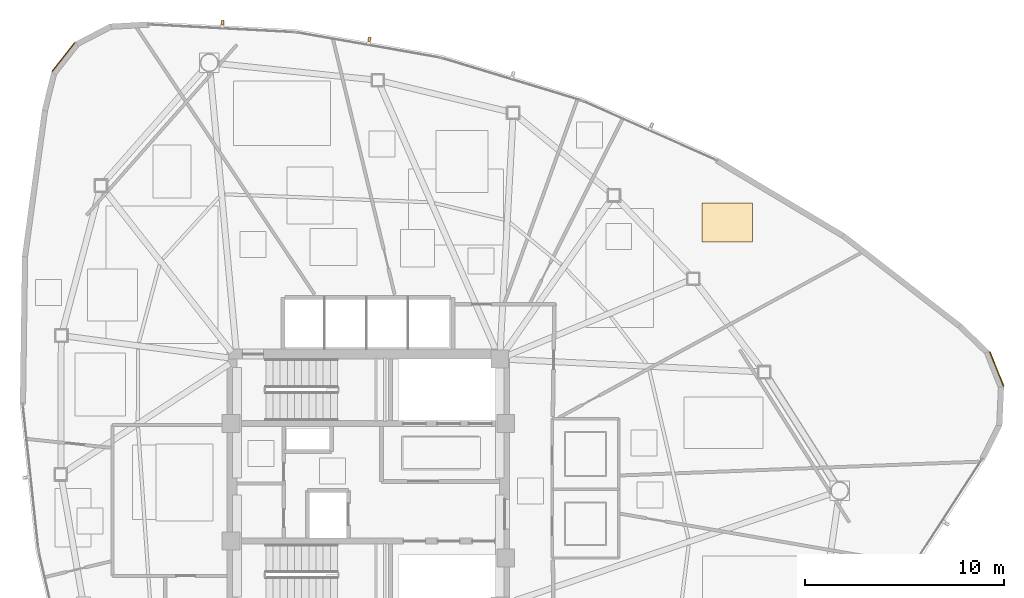
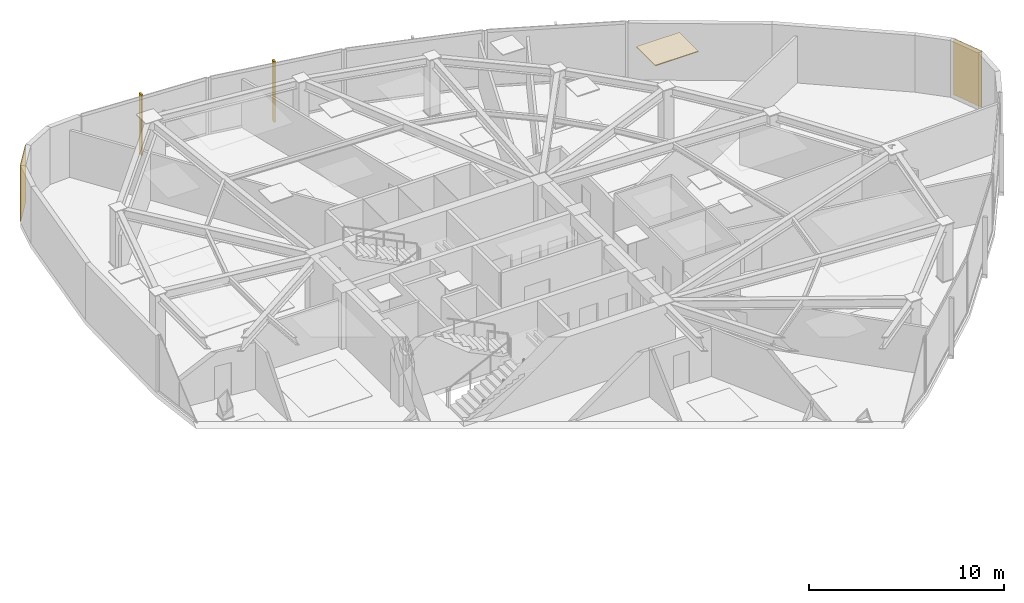
# One storey, part 17 of 17: 3 coverings, 2 shading devices.
"""IFC4 building model written with IfcOpenShell, lengths in metres."""

from ifc_helpers import new_model, si_unit, direction, frame, origin, origin_2d, place, context, subcontext, project, spatial, polyline, rectangle, outline, extrude, source, transform, mapped, material, layer, layer_set, type_object, type_shapes, element, save


model = new_model("IFC4")

# Units and contexts
model_context = context("Model", 3, precision=1e-05, world=origin(), true_north=direction((0.0, 1.0)))
body_context = subcontext(model_context, "Body", "Model", "MODEL_VIEW")
ifc_project = project(units=[si_unit("LENGTHUNIT", "METRE"), si_unit("AREAUNIT", "SQUARE_METRE"), si_unit("VOLUMEUNIT", "CUBIC_METRE"), si_unit("PLANEANGLEUNIT", "RADIAN"), si_unit("MASSUNIT", "GRAM", prefix="KILO")], contexts=[model_context])

# Site, building, storey
site_placement = place(None, origin())
site = spatial("IfcSite", under=ifc_project, at=site_placement, CompositionType="ELEMENT")
building_placement = place(site_placement, origin())
building = spatial("IfcBuilding", under=site, at=building_placement, Name="Tavelor Broadcast Tower", CompositionType="ELEMENT")
storey_placement = place(building_placement, frame((0.0, 0.0, 200.300048828125)))
storey = spatial("IfcBuildingStorey", under=building, at=storey_placement, Name="L48", CompositionType="ELEMENT", Elevation=200.300048828125)

# Coverings
ifc_material_1 = material(Name="Copper-Bronze Anodized Aluminium", Category="aluminium")
ifc_layer_1 = layer(ifc_material_1, 0.050048828125)
ifc_layer_set_1 = layer_set([ifc_layer_1], Name="Copper-Bronze Anodized Aluminium")
covering_type_1 = type_object("IfcCoveringType", Name="Champagne-Bronze Corner Pier Metal Cladding 50 mm", PredefinedType="CLADDING", material=ifc_layer_set_1)
for number, where, z_axis, x_axis, name in (
    (1, (34.684326171875, 66.3701171875, 0.02001953125), (0.0, 0.0, 1.0), (-0.61909394931, -0.785316930881, 0.0), "L48 Champagne-Bronze Corner Cladding 03"),
    (2, (81.56494140625, 50.6962890625, 0.02001953125), (0.0, 0.0, 1.0), (-0.37055743751, 0.928809552872, 0.0), "L48 Champagne-Bronze Corner Cladding 23"),
):
    element("IfcCovering", number, at=place(storey_placement, frame(where, z_axis=z_axis, x_axis=x_axis)), inside=storey, type_object=covering_type_1, Name=name, PredefinedType="CLADDING", context=body_context, shape_type="SweptSolid", body=[
        extrude(rectangle(XDim=1.849365234375, YDim=0.050048828125, at=origin_2d()), origin(), (0.0, 0.0, 1.0), 3.510009765625),
    ])
ifc_material_2 = material(Name="Acoustic Perforated Timber Baffle", Category="wood")
ifc_layer_2 = layer(ifc_material_2, 0.054931640625)
ifc_layer_set_2 = layer_set([ifc_layer_2], Name="Acoustic Perforated Timber Baffle")
covering_type_2 = type_object("IfcCoveringType", Name="Micro-Perforated Acoustic Baffle Studio Ceiling 55 mm", PredefinedType="CEILING", material=ifc_layer_set_2)
covering_placement = place(storey_placement, frame((0.0, 0.0, 3.494873046875)))
element("IfcCovering", 3, at=covering_placement, inside=storey, type_object=covering_type_2, Name="L48 Suspended Acoustic Ceiling 2023", PredefinedType="CEILING", context=body_context, shape_type="SweptSolid", body=[
    extrude(outline(polyline([(66.7578125, 57.08642578125), (69.30078125, 57.08642578125), (69.30078125, 59.033935546875), (66.7578125, 59.033935546875), (66.7578125, 57.08642578125)])), origin(), (0.0, 0.0, 1.0), 0.05517578125),
])

# Shading devices
ifc_material_3 = material(Name="Kiln-Fired Glazed Terracotta", Category="masonry")
shading_device_type = type_object("IfcShadingDeviceType", Name="Extruded Terracotta Baguette Sun-Screen 110x240", PredefinedType="JALOUSIE", material=ifc_material_3)
shared_shape = source(origin(), body_context, "Body", "SweptSolid", [
    extrude(rectangle(XDim=0.110107421875, YDim=0.239990234375, at=origin_2d()), origin(), (0.0, 0.0, 1.0), 3.7900390625),
])
type_shapes(shading_device_type, [shared_shape])
for number, where, z_axis, x_axis, name in (
    (4, (50.054931640625, 67.264892578125, -0.260009765625), (0.0, 0.0, 1.0), (-0.984898539986, 0.173132509753, 0.0), "L48 Terracotta Baguette Fin 515"),
    (5, (42.67724609375, 68.10546875, -0.260009765625), (0.0, 0.0, 1.0), (-0.99861120522, 0.052684540515, 0.0), "L48 Terracotta Baguette Fin 516"),
):
    element("IfcShadingDevice", number, at=place(storey_placement, frame(where, z_axis=z_axis, x_axis=x_axis)), inside=storey, type_object=shading_device_type, Name=name, PredefinedType="JALOUSIE", context=body_context, shape_type="MappedRepresentation", body=[
        mapped(shared_shape, transform((0.0, 0.0, 0.0), scale=1.0)),
    ])

save(model, "model.ifc")
